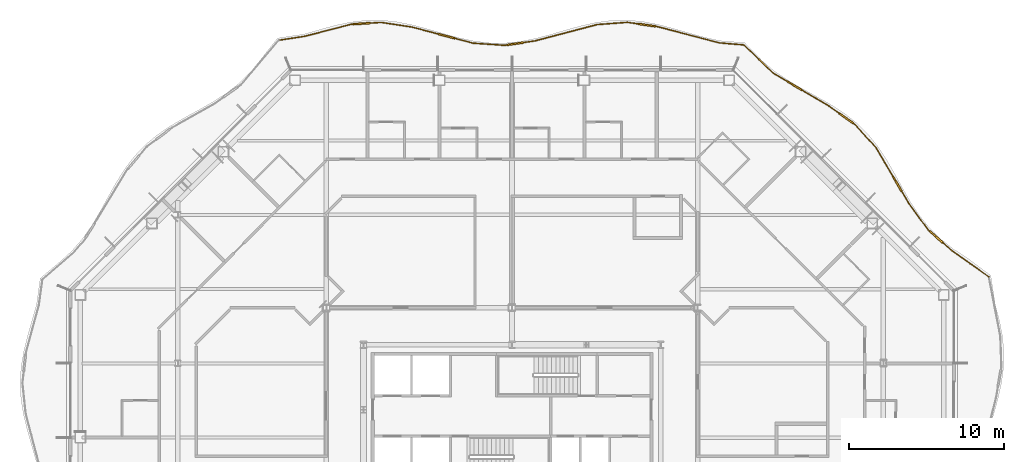
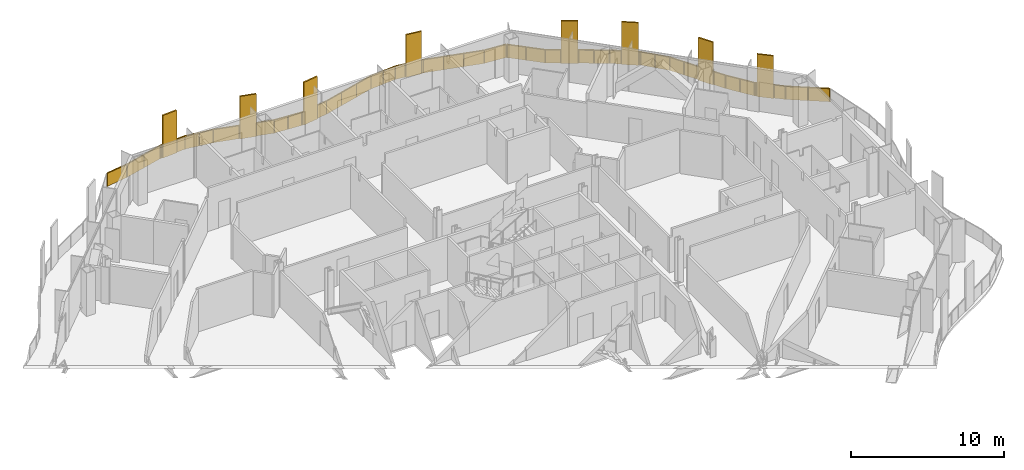
# One storey, part 21 of 21: 2 railings.
"""IFC4 building model written with IfcOpenShell, lengths in metres."""

import ifcopenshell
import ifcopenshell.guid

model = None  # the IFC model being written
_history = None  # IfcOwnerHistory: only IFC2X3 demands one
_inside = {}  # id of a spatial element -> (the spatial element, [elements in it])
_under = {}  # id of a project, library or spatial element -> (it, [spatial elements below it])
_declared = {}  # id of a project -> (the project, [libraries it declares])
_typed = {}  # id of a type object -> (the type object, [elements of that type])
_made_of = {}  # id of a material, layer set ... -> (it, [elements and type objects made of it])


def new_model(schema):
    """Start an empty IFC model of exactly this schema.

    Asked for "IFC4X3", IfcOpenShell would pick the latest addendum, in which some entities
    have other attributes; the version numbers below select the first issue.
    IFC2X3 requires an IfcOwnerHistory on every rooted entity: one is made here for all.
    """
    global model, _history
    if schema == "IFC4X3":
        model = ifcopenshell.file(schema_version=(4, 3, 0, 0))
    else:
        model = ifcopenshell.file(schema=schema)
    _inside.clear()
    _under.clear()
    _declared.clear()
    _typed.clear()
    _made_of.clear()
    _history = None
    if model.schema == "IFC2X3":
        org = make("IfcOrganization", Name="unknown")
        user = make(
            "IfcPersonAndOrganization",
            ThePerson=make("IfcPerson", FamilyName="unknown"),
            TheOrganization=org,
        )
        app = make(
            "IfcApplication",
            ApplicationDeveloper=org,
            Version="unknown",
            ApplicationFullName="unknown",
            ApplicationIdentifier="unknown",
        )
        _history = make(
            "IfcOwnerHistory",
            OwningUser=user,
            OwningApplication=app,
            ChangeAction="ADDED",
            CreationDate=0,
        )
    return model


def make(cls, **values):
    """One entity of the class cls with the attributes given. An attribute that is None is left unset."""
    return model.create_entity(
        cls, **{name: value for name, value in values.items() if value is not None}
    )


def rooted(cls, **values):
    """An entity with a GlobalId (a new one), such as an element, a storey or a relation."""
    return make(cls, GlobalId=ifcopenshell.guid.new(), OwnerHistory=_history, **values)


def si_unit(unit_type, name, prefix=None):
    """IfcSIUnit, for example si_unit("LENGTHUNIT", "METRE", prefix="MILLI")."""
    return make("IfcSIUnit", UnitType=unit_type, Prefix=prefix, Name=name)


def assignment(units):
    """IfcUnitAssignment: the units of a project."""
    return None if units is None else make("IfcUnitAssignment", Units=units)


def point(xyz):
    """IfcCartesianPoint."""
    return None if xyz is None else make("IfcCartesianPoint", Coordinates=xyz)


def direction(xyz):
    """IfcDirection."""
    return None if xyz is None else make("IfcDirection", DirectionRatios=xyz)


def frame(location, z_axis=None, x_axis=None):
    """IfcAxis2Placement3D, a coordinate frame: its origin and axes. An axis left out is left unset."""
    return make(
        "IfcAxis2Placement3D",
        Location=point(location),
        Axis=direction(z_axis),
        RefDirection=direction(x_axis),
    )


def frame_2d(location, x_axis=None):
    """IfcAxis2Placement2D, a coordinate frame in the plane: its origin and x axis."""
    return make(
        "IfcAxis2Placement2D", Location=point(location), RefDirection=direction(x_axis)
    )


def origin():
    """The frame at (0, 0, 0) with its axes left unset."""
    return frame((0.0, 0.0, 0.0))


def origin_2d():
    """The frame at (0, 0) in the plane with its x axis left unset."""
    return frame_2d((0.0, 0.0))


def place(relative_to, where):
    """IfcLocalPlacement: puts the frame where relative to a parent placement (None: the world)."""
    return make(
        "IfcLocalPlacement", PlacementRelTo=relative_to, RelativePlacement=where
    )


def context(
    kind, dimensions, precision=None, world=None, true_north=None, identifier=None
):
    """IfcGeometricRepresentationContext, for example the 3D "Model" context."""
    return make(
        "IfcGeometricRepresentationContext",
        ContextIdentifier=identifier,
        ContextType=kind,
        CoordinateSpaceDimension=dimensions,
        Precision=precision,
        WorldCoordinateSystem=world,
        TrueNorth=true_north,
    )


def subcontext(parent, identifier, kind, view, scale=None):
    """IfcGeometricRepresentationSubContext, for example "Body" below "Model"."""
    return make(
        "IfcGeometricRepresentationSubContext",
        ContextIdentifier=identifier,
        ContextType=kind,
        ParentContext=parent,
        TargetScale=scale,
        TargetView=view,
    )


def project(units=None, contexts=None):
    """IfcProject with its units and contexts."""
    return rooted(
        "IfcProject",
        Name="project",
        RepresentationContexts=contexts,
        UnitsInContext=assignment(units),
    )


def spatial(cls, under=None, at=None, **own):
    """A site, building, storey or space (cls), placed at a placement, below another one or the project."""
    s = rooted(cls, ObjectPlacement=at, **own)
    if under is not None:
        _under.setdefault(under.id(), (under, []))[1].append(s)
    return s


def polyline(points):
    """IfcPolyline through the points."""
    return make("IfcPolyline", Points=[point(p) for p in points])


def profile(cls, at=None, kind="AREA", **sizes):
    """A parametric profile (cls). Its sizes go by their IFC names, for example OverallWidth=200.0."""
    return make(cls, ProfileType=kind, Position=at, **sizes)


def rectangle(**sizes):
    """IfcRectangleProfileDef."""
    return profile("IfcRectangleProfileDef", **sizes)


def outline(outer, holes=None, kind="AREA"):
    """IfcArbitraryClosedProfileDef: a profile drawn as a closed curve; with holes, ...WithVoids."""
    if holes is None:
        return make("IfcArbitraryClosedProfileDef", ProfileType=kind, OuterCurve=outer)
    return make(
        "IfcArbitraryProfileDefWithVoids",
        ProfileType=kind,
        OuterCurve=outer,
        InnerCurves=holes,
    )


def extrude(swept, where, along, depth):
    """IfcExtrudedAreaSolid: the profile swept, set in the frame where, extruded along a direction by depth."""
    return make(
        "IfcExtrudedAreaSolid",
        SweptArea=swept,
        Position=where,
        ExtrudedDirection=direction(along),
        Depth=depth,
    )


def shape(context_of_items, identifier, shape_type, items):
    """IfcShapeRepresentation: the items that make up one representation, for example the "Body"."""
    return make(
        "IfcShapeRepresentation",
        ContextOfItems=context_of_items,
        RepresentationIdentifier=identifier,
        RepresentationType=shape_type,
        Items=items,
    )


def material(Name=None, Category=None):
    """IfcMaterial."""
    return make("IfcMaterial", Name=Name, Category=Category)


def made_of(thing, what):
    """Note that an element or type object is made of a material, layer set ...; save() writes the relation."""
    if what is not None:
        _made_of.setdefault(what.id(), (what, []))[1].append(thing)
    return thing


def type_object(cls, material=None, **own):
    """A type object (cls), such as IfcWallType, which elements share."""
    return made_of(rooted(cls, **own), material)


def element(
    cls,
    number,
    at=None,
    inside=None,
    cuts=None,
    type_object=None,
    material=None,
    context=None,
    identifier="Body",
    shape_type=None,
    held_by="IfcProductDefinitionShape",
    body=None,
    shapes=None,
    **own,
):
    """One element of the class cls, such as IfcWall. Its Tag is "e" and its number.

    at: its placement. inside: the storey or other place that contains it. cuts: it is an
    opening in that element (IfcRelVoidsElement). A single representation is given by context,
    identifier, shape_type and body (its items); several are given by shapes. held_by: the class
    of the entity that holds the representations. save() writes the other relations.
    """
    e = rooted(cls, Tag="e%d" % number, ObjectPlacement=at, **own)
    if body is not None:
        shapes = [shape(context, identifier, shape_type, body)]
    if shapes is not None:
        e.Representation = make(held_by, Representations=shapes)
    if inside is not None:
        _inside.setdefault(inside.id(), (inside, []))[1].append(e)
    if cuts is not None:
        rooted(
            "IfcRelVoidsElement", RelatingBuildingElement=cuts, RelatedOpeningElement=e
        )
    if type_object is not None:
        _typed.setdefault(type_object.id(), (type_object, []))[1].append(e)
    return made_of(e, material)


def aggregate(whole, parts):
    """IfcRelAggregates: a whole, such as a stair, and the parts it consists of."""
    return rooted("IfcRelAggregates", RelatingObject=whole, RelatedObjects=parts)


def save(model, path):
    """Write the relations noted so far, then the file.

    IfcRelAggregates (storeys below a building ...), IfcRelContainedInSpatialStructure (elements
    in a storey), IfcRelDefinesByType, IfcRelAssociatesMaterial and IfcRelDeclares: one each for
    every whole, place, type object, material and project.
    """
    for whole, parts in _under.values():
        aggregate(whole, parts)
    for where, things in _inside.values():
        rooted(
            "IfcRelContainedInSpatialStructure",
            RelatedElements=things,
            RelatingStructure=where,
        )
    for kind, things in _typed.values():
        rooted("IfcRelDefinesByType", RelatedObjects=things, RelatingType=kind)
    for what, things in _made_of.values():
        rooted("IfcRelAssociatesMaterial", RelatedObjects=things, RelatingMaterial=what)
    for by, libraries in _declared.values():
        rooted("IfcRelDeclares", RelatingContext=by, RelatedDefinitions=libraries)
    model.write(path)


model = new_model("IFC4")

# Units and contexts
model_context = context("Model", 3, precision=1e-05, world=origin(), true_north=direction((0.0, 1.0)))
body_context = subcontext(model_context, "Body", "Model", "MODEL_VIEW")
ifc_project = project(units=[si_unit("LENGTHUNIT", "METRE"), si_unit("AREAUNIT", "SQUARE_METRE"), si_unit("VOLUMEUNIT", "CUBIC_METRE"), si_unit("PLANEANGLEUNIT", "RADIAN"), si_unit("MASSUNIT", "GRAM", prefix="KILO")], contexts=[model_context])

# Site, building, storey
site_placement = place(None, origin())
site = spatial("IfcSite", under=ifc_project, at=site_placement, CompositionType="ELEMENT")
building_placement = place(site_placement, origin())
building = spatial("IfcBuilding", under=site, at=building_placement, Name="Cairn Pilgrim Tower", CompositionType="ELEMENT")
storey_placement = place(building_placement, frame((0.0, 0.0, 139.800048828125)))
storey = spatial("IfcBuildingStorey", under=building, at=storey_placement, Name="L34", CompositionType="ELEMENT", Elevation=139.800048828125)

# Railings
ifc_material = material(Name="Bronze anodised aluminium rail, posts and fin screens with laminated glass infill", Category="aluminium")
railing_type = type_object("IfcRailingType", Name="BALCONY GUARD WITH FIN SCREENS", PredefinedType="GUARDRAIL", material=ifc_material)
railing_1_placement = place(storey_placement, frame((38.007080078125, 15.199951171875, 0.0)))
element("IfcRailing", 1, at=railing_1_placement, inside=storey, type_object=railing_type, Name="Balcony guard BGF-4 with fin screens", PredefinedType="GUARDRAIL", context=body_context, shape_type="SweptSolid", body=[
    extrude(rectangle(XDim=0.050048828125, YDim=0.050048828125, at=origin_2d()), frame((0.0, 0.0, 1.0751953125), z_axis=(-0.816126546783, 0.577873221075, 0.0), x_axis=(-0.577873221075, -0.816126546783, 0.0)), (0.0, 0.0, 1.0), 2.914306640625),
    extrude(rectangle(XDim=1.10009765625, YDim=0.110107421875, at=origin_2d()), frame((-3.404052734375, 2.584716796875, 0.0), z_axis=(0.0, 0.0, 1.0), x_axis=(-0.751381601179, 0.659867933309, 0.0)), (0.0, 0.0, 1.0), 3.39990234375),
    extrude(rectangle(XDim=0.050048828125, YDim=0.050048828125, at=origin_2d()), frame((-2.37841796875, 1.68408203125, 1.0751953125), z_axis=(-0.751381601179, 0.659867933309, 0.0), x_axis=(-0.659867933309, -0.751381601179, 0.0)), (0.0, 0.0, 1.0), 0.81494140625),
    extrude(rectangle(XDim=0.050048828125, YDim=0.050048828125, at=origin_2d()), frame((-3.817138671875, 2.94775390625, 1.0751953125), z_axis=(-0.751381601179, 0.659867933309, 0.0), x_axis=(-0.659867933309, -0.751381601179, 0.0)), (0.0, 0.0, 1.0), 0.14990234375),
    extrude(rectangle(XDim=0.050048828125, YDim=0.050048828125, at=origin_2d()), frame((-3.929931640625, 3.046630859375, 1.0751953125), z_axis=(-0.590307215064, 0.807178661662, 0.0), x_axis=(-0.807178661662, -0.590307215064, 0.0)), (0.0, 0.0, 1.0), 2.0849609375),
    extrude(rectangle(XDim=1.10009765625, YDim=0.110107421875, at=origin_2d()), frame((-5.910888671875, 6.00341796875, 0.0), z_axis=(0.0, 0.0, 1.0), x_axis=(-0.50739866835, 0.861711431604, 0.0)), (0.0, 0.0, 1.0), 3.39990234375),
    extrude(rectangle(XDim=0.050048828125, YDim=0.050048828125, at=origin_2d()), frame((-5.16064453125, 4.7294921875, 1.0751953125), z_axis=(-0.50739866835, 0.861711431604, 0.0), x_axis=(-0.861711431604, -0.50739866835, 0.0)), (0.0, 0.0, 1.0), 0.928466796875),
    extrude(rectangle(XDim=0.050048828125, YDim=0.050048828125, at=origin_2d()), frame((-6.18994140625, 6.4775390625, 1.0751953125), z_axis=(-0.50739866835, 0.861711431604, 0.0), x_axis=(-0.861711431604, -0.50739866835, 0.0)), (0.0, 0.0, 1.0), 2.170654296875),
    extrude(rectangle(XDim=0.050048828125, YDim=0.050048828125, at=origin_2d()), frame((-7.291259765625, 8.347900390625, 1.0751953125), z_axis=(-0.671849079012, 0.740688068643, 0.0), x_axis=(-0.740688068643, -0.671849079012, 0.0)), (0.0, 0.0, 1.0), 2.00732421875),
    extrude(rectangle(XDim=1.10009765625, YDim=0.110107421875, at=origin_2d()), frame((-9.210205078125, 10.240478515625, 0.0), z_axis=(0.0, 0.0, 1.0), x_axis=(-0.814862491969, 0.579654310069, 0.0)), (0.0, 0.0, 1.0), 3.39990234375),
    extrude(rectangle(XDim=0.050048828125, YDim=0.050048828125, at=origin_2d()), frame((-8.639892578125, 9.834716796875, 1.0751953125), z_axis=(-0.814862491969, 0.579654310069, 0.0), x_axis=(-0.579654310069, -0.814862491969, 0.0)), (0.0, 0.0, 1.0), 0.14990234375),
    extrude(rectangle(XDim=0.050048828125, YDim=0.050048828125, at=origin_2d()), frame((-9.658447265625, 10.559326171875, 1.0751953125), z_axis=(-0.814862491969, 0.579654310069, 0.0), x_axis=(-0.579654310069, -0.814862491969, 0.0)), (0.0, 0.0, 1.0), 0.792724609375),
    extrude(rectangle(XDim=1.10009765625, YDim=0.110107421875, at=origin_2d()), frame((-12.558837890625, 12.35595703125, 0.0), z_axis=(0.0, 0.0, 1.0), x_axis=(-0.860093858428, 0.51013581985, 0.0)), (0.0, 0.0, 1.0), 3.39990234375),
    extrude(rectangle(XDim=0.050048828125, YDim=0.050048828125, at=origin_2d()), frame((-10.304443359375, 11.018798828125, 1.0751953125), z_axis=(-0.860093858428, 0.51013581985, 0.0), x_axis=(-0.51013581985, -0.860093858428, 0.0)), (0.0, 0.0, 1.0), 2.071044921875),
    extrude(rectangle(XDim=0.050048828125, YDim=0.050048828125, at=origin_2d()), frame((-13.03173828125, 12.636474609375, 1.0751953125), z_axis=(-0.860093858428, 0.51013581985, 0.0), x_axis=(-0.51013581985, -0.860093858428, 0.0)), (0.0, 0.0, 1.0), 1.04345703125),
    extrude(rectangle(XDim=0.050048828125, YDim=0.050048828125, at=origin_2d()), frame((-13.92919921875, 13.168701171875, 1.0751953125), z_axis=(-0.724381372371, 0.689399468641, 0.0), x_axis=(-0.689399468641, -0.724381372371, 0.0)), (0.0, 0.0, 1.0), 2.5751953125),
    extrude(rectangle(XDim=0.050048828125, YDim=0.050048828125, at=origin_2d()), origin(), (0.0, 0.0, 1.0), 1.050048828125),
    extrude(rectangle(XDim=0.050048828125, YDim=0.050048828125, at=origin_2d()), frame((-1.189208984375, 0.842041015625, 0.0)), (0.0, 0.0, 1.0), 1.050048828125),
    extrude(rectangle(XDim=0.050048828125, YDim=0.050048828125, at=origin_2d()), frame((-2.37841796875, 1.68408203125, 0.0)), (0.0, 0.0, 1.0), 1.050048828125),
    extrude(rectangle(XDim=0.050048828125, YDim=0.050048828125, at=origin_2d()), frame((-2.971923828125, 2.205322265625, 0.0)), (0.0, 0.0, 1.0), 1.050048828125),
    extrude(rectangle(XDim=0.050048828125, YDim=0.050048828125, at=origin_2d()), frame((-3.8359375, 2.964111328125, 0.0)), (0.0, 0.0, 1.0), 1.050048828125),
    extrude(rectangle(XDim=0.050048828125, YDim=0.050048828125, at=origin_2d()), frame((-3.929931640625, 3.046630859375, 0.0)), (0.0, 0.0, 1.0), 1.050048828125),
    extrude(rectangle(XDim=0.050048828125, YDim=0.050048828125, at=origin_2d()), frame((-4.54541015625, 3.88818359375, 0.0)), (0.0, 0.0, 1.0), 1.050048828125),
    extrude(rectangle(XDim=0.050048828125, YDim=0.050048828125, at=origin_2d()), frame((-5.16064453125, 4.7294921875, 0.0)), (0.0, 0.0, 1.0), 1.050048828125),
    extrude(rectangle(XDim=0.050048828125, YDim=0.050048828125, at=origin_2d()), frame((-5.619140625, 5.508056640625, 0.0)), (0.0, 0.0, 1.0), 1.050048828125),
    extrude(rectangle(XDim=0.050048828125, YDim=0.050048828125, at=origin_2d()), frame((-6.20263671875, 6.4990234375, 0.0)), (0.0, 0.0, 1.0), 1.050048828125),
    extrude(rectangle(XDim=0.050048828125, YDim=0.050048828125, at=origin_2d()), frame((-6.746826171875, 7.42333984375, 0.0)), (0.0, 0.0, 1.0), 1.050048828125),
    extrude(rectangle(XDim=0.050048828125, YDim=0.050048828125, at=origin_2d()), frame((-7.291259765625, 8.347900390625, 0.0)), (0.0, 0.0, 1.0), 1.050048828125),
    extrude(rectangle(XDim=0.050048828125, YDim=0.050048828125, at=origin_2d()), frame((-7.965576171875, 9.09130859375, 0.0)), (0.0, 0.0, 1.0), 1.050048828125),
    extrude(rectangle(XDim=0.050048828125, YDim=0.050048828125, at=origin_2d()), frame((-8.639892578125, 9.834716796875, 0.0)), (0.0, 0.0, 1.0), 1.050048828125),
    extrude(rectangle(XDim=0.050048828125, YDim=0.050048828125, at=origin_2d()), frame((-8.74169921875, 9.9072265625, 0.0)), (0.0, 0.0, 1.0), 1.050048828125),
    extrude(rectangle(XDim=0.050048828125, YDim=0.050048828125, at=origin_2d()), frame((-9.6787109375, 10.57373046875, 0.0)), (0.0, 0.0, 1.0), 1.050048828125),
    extrude(rectangle(XDim=0.050048828125, YDim=0.050048828125, at=origin_2d()), frame((-10.304443359375, 11.018798828125, 0.0)), (0.0, 0.0, 1.0), 1.050048828125),
    extrude(rectangle(XDim=0.050048828125, YDim=0.050048828125, at=origin_2d()), frame((-11.184326171875, 11.540771484375, 0.0)), (0.0, 0.0, 1.0), 1.050048828125),
    extrude(rectangle(XDim=0.050048828125, YDim=0.050048828125, at=origin_2d()), frame((-12.064208984375, 12.0625, 0.0)), (0.0, 0.0, 1.0), 1.050048828125),
    extrude(rectangle(XDim=0.050048828125, YDim=0.050048828125, at=origin_2d()), frame((-13.05322265625, 12.649169921875, 0.0)), (0.0, 0.0, 1.0), 1.050048828125),
    extrude(rectangle(XDim=0.050048828125, YDim=0.050048828125, at=origin_2d()), frame((-13.92919921875, 13.168701171875, 0.0)), (0.0, 0.0, 1.0), 1.050048828125),
    extrude(rectangle(XDim=0.050048828125, YDim=0.050048828125, at=origin_2d()), frame((-14.86181640625, 14.056396484375, 0.0)), (0.0, 0.0, 1.0), 1.050048828125),
    extrude(rectangle(XDim=0.050048828125, YDim=0.050048828125, at=origin_2d()), frame((-15.794677734375, 14.944091796875, 0.0)), (0.0, 0.0, 1.0), 1.050048828125),
    extrude(outline(polyline([(0.02490234375, 0.0), (1.43212890625, 0.0), (1.43212890625, 1.050048828125), (0.02490234375, 1.050048828125), (0.02490234375, 0.0)])), frame((-0.00341796875, -0.0048828125, 0.0), z_axis=(0.577873221075, 0.816126546783, 0.0), x_axis=(-0.816126546783, 0.577873221075, 0.0)), (0.0, 0.0, 1.0), 0.011962890625),
    extrude(outline(polyline([(0.02490234375, 0.0), (1.43212890625, 0.0), (1.43212890625, 1.050048828125), (0.02490234375, 1.050048828125), (0.02490234375, 0.0)])), frame((-1.192626953125, 0.837158203125, 0.0), z_axis=(0.577873221075, 0.816126546783, 0.0), x_axis=(-0.816126546783, 0.577873221075, 0.0)), (0.0, 0.0, 1.0), 0.011962890625),
    extrude(outline(polyline([(0.02490234375, 0.0), (0.764892578125, 0.0), (0.764892578125, 1.050048828125), (0.02490234375, 1.050048828125), (0.02490234375, 0.0)])), frame((-2.38232421875, 1.6796875, 0.0), z_axis=(0.659867933309, 0.751381601179, 0.0), x_axis=(-0.751381601179, 0.659867933309, 0.0)), (0.0, 0.0, 1.0), 0.011962890625),
    extrude(outline(polyline([(0.02490234375, 0.0), (0.099853515625, 0.0), (0.099853515625, 1.050048828125), (0.02490234375, 1.050048828125), (0.02490234375, 0.0)])), frame((-3.840087890625, 2.959716796875, 0.0), z_axis=(0.659867933309, 0.751381601179, 0.0), x_axis=(-0.751381601179, 0.659867933309, 0.0)), (0.0, 0.0, 1.0), 0.011962890625),
    extrude(outline(polyline([(0.02490234375, 0.0), (1.017333984375, 0.0), (1.017333984375, 1.050048828125), (0.02490234375, 1.050048828125), (0.02490234375, 0.0)])), frame((-3.934814453125, 3.043212890625, 0.0), z_axis=(0.807178661662, 0.590307215064, 0.0), x_axis=(-0.590307215064, 0.807178661662, 0.0)), (0.0, 0.0, 1.0), 0.011962890625),
    extrude(outline(polyline([(0.02490234375, 0.0), (1.017333984375, 0.0), (1.017333984375, 1.050048828125), (0.02490234375, 1.050048828125), (0.02490234375, 0.0)])), frame((-4.550048828125, 3.884521484375, 0.0), z_axis=(0.807178661662, 0.590307215064, 0.0), x_axis=(-0.590307215064, 0.807178661662, 0.0)), (0.0, 0.0, 1.0), 0.011962890625),
    extrude(outline(polyline([(0.02490234375, 0.0), (0.87841796875, 0.0), (0.87841796875, 1.050048828125), (0.02490234375, 1.050048828125), (0.02490234375, 0.0)])), frame((-5.165771484375, 4.7265625, 0.0), z_axis=(0.861711431604, 0.50739866835, 0.0), x_axis=(-0.50739866835, 0.861711431604, 0.0)), (0.0, 0.0, 1.0), 0.011962890625),
    extrude(outline(polyline([(0.02490234375, 0.0), (1.0478515625, 0.0), (1.0478515625, 1.050048828125), (0.02490234375, 1.050048828125), (0.02490234375, 0.0)])), frame((-6.207763671875, 6.49609375, 0.0), z_axis=(0.861711431604, 0.50739866835, 0.0), x_axis=(-0.50739866835, 0.861711431604, 0.0)), (0.0, 0.0, 1.0), 0.011962890625),
    extrude(outline(polyline([(0.02490234375, 0.0), (1.0478515625, 0.0), (1.0478515625, 1.050048828125), (0.02490234375, 1.050048828125), (0.02490234375, 0.0)])), frame((-6.752197265625, 7.42041015625, 0.0), z_axis=(0.861711431604, 0.50739866835, 0.0), x_axis=(-0.50739866835, 0.861711431604, 0.0)), (0.0, 0.0, 1.0), 0.011962890625),
    extrude(outline(polyline([(0.02490234375, 0.0), (0.978759765625, 0.0), (0.978759765625, 1.050048828125), (0.02490234375, 1.050048828125), (0.02490234375, 0.0)])), frame((-7.295654296875, 8.343994140625, 0.0), z_axis=(0.740688068643, 0.671849079012, 0.0), x_axis=(-0.671849079012, 0.740688068643, 0.0)), (0.0, 0.0, 1.0), 0.011962890625),
    extrude(outline(polyline([(0.02490234375, 0.0), (0.978759765625, 0.0), (0.978759765625, 1.050048828125), (0.02490234375, 1.050048828125), (0.02490234375, 0.0)])), frame((-7.969970703125, 9.08740234375, 0.0), z_axis=(0.740688068643, 0.671849079012, 0.0), x_axis=(-0.671849079012, 0.740688068643, 0.0)), (0.0, 0.0, 1.0), 0.011962890625),
    extrude(outline(polyline([(0.02490234375, 0.0), (0.099853515625, 0.0), (0.099853515625, 1.050048828125), (0.02490234375, 1.050048828125), (0.02490234375, 0.0)])), frame((-8.643310546875, 9.829833984375, 0.0), z_axis=(0.579654310069, 0.814862491969, 0.0), x_axis=(-0.814862491969, 0.579654310069, 0.0)), (0.0, 0.0, 1.0), 0.011962890625),
    extrude(outline(polyline([(0.02490234375, 0.0), (0.74267578125, 0.0), (0.74267578125, 1.050048828125), (0.02490234375, 1.050048828125), (0.02490234375, 0.0)])), frame((-9.682373046875, 10.56884765625, 0.0), z_axis=(0.579654310069, 0.814862491969, 0.0), x_axis=(-0.814862491969, 0.579654310069, 0.0)), (0.0, 0.0, 1.0), 0.011962890625),
    extrude(outline(polyline([(0.02490234375, 0.0), (0.998046875, 0.0), (0.998046875, 1.050048828125), (0.02490234375, 1.050048828125), (0.02490234375, 0.0)])), frame((-10.307373046875, 11.013671875, 0.0), z_axis=(0.51013581985, 0.860093858428, 0.0), x_axis=(-0.860093858428, 0.51013581985, 0.0)), (0.0, 0.0, 1.0), 0.011962890625),
    extrude(outline(polyline([(0.02490234375, 0.0), (0.998046875, 0.0), (0.998046875, 1.050048828125), (0.02490234375, 1.050048828125), (0.02490234375, 0.0)])), frame((-11.187255859375, 11.535400390625, 0.0), z_axis=(0.51013581985, 0.860093858428, 0.0), x_axis=(-0.860093858428, 0.51013581985, 0.0)), (0.0, 0.0, 1.0), 0.011962890625),
    extrude(outline(polyline([(0.02490234375, 0.0), (0.993408203125, 0.0), (0.993408203125, 1.050048828125), (0.02490234375, 1.050048828125), (0.02490234375, 0.0)])), frame((-13.056396484375, 12.64404296875, 0.0), z_axis=(0.51013581985, 0.860093858428, 0.0), x_axis=(-0.860093858428, 0.51013581985, 0.0)), (0.0, 0.0, 1.0), 0.011962890625),
    extrude(outline(polyline([(0.02490234375, 0.0), (1.2626953125, 0.0), (1.2626953125, 1.050048828125), (0.02490234375, 1.050048828125), (0.02490234375, 0.0)])), frame((-13.933349609375, 13.164306640625, 0.0), z_axis=(0.689399468641, 0.724381372371, 0.0), x_axis=(-0.724381372371, 0.689399468641, 0.0)), (0.0, 0.0, 1.0), 0.011962890625),
    extrude(outline(polyline([(0.02490234375, 0.0), (1.2626953125, 0.0), (1.2626953125, 1.050048828125), (0.02490234375, 1.050048828125), (0.02490234375, 0.0)])), frame((-14.865966796875, 14.052001953125, 0.0), z_axis=(0.689399468641, 0.724381372371, 0.0), x_axis=(-0.724381372371, 0.689399468641, 0.0)), (0.0, 0.0, 1.0), 0.011962890625),
])
railing_2_placement = place(storey_placement, frame((22.1689453125, 30.185302734375, 0.0)))
element("IfcRailing", 2, at=railing_2_placement, inside=storey, type_object=railing_type, Name="Balcony guard BGF-5 with fin screens", PredefinedType="GUARDRAIL", context=body_context, shape_type="SweptSolid", body=[
    extrude(rectangle(XDim=0.050048828125, YDim=0.050048828125, at=origin_2d()), frame((0.0, 0.0, 1.0751953125), z_axis=(-0.996595254625, 0.082449369059, 0.0), x_axis=(-0.082449369059, -0.996595254625, 0.0)), (0.0, 0.0, 1.0), 1.593017578125),
    extrude(rectangle(XDim=0.050048828125, YDim=0.050048828125, at=origin_2d()), frame((-1.587646484375, 0.13134765625, 1.0751953125), z_axis=(-0.966903612794, 0.255141928278, 0.0), x_axis=(-0.255141928278, -0.966903612794, 0.0)), (0.0, 0.0, 1.0), 4.11279296875),
    extrude(rectangle(XDim=1.10009765625, YDim=0.110107421875, at=origin_2d()), frame((-6.257080078125, 1.278564453125, 0.0), z_axis=(0.0, 0.0, 1.0), x_axis=(-0.99015060445, 0.140006358807, 0.0)), (0.0, 0.0, 1.0), 3.39990234375),
    extrude(rectangle(XDim=0.050048828125, YDim=0.050048828125, at=origin_2d()), frame((-5.564208984375, 1.1806640625, 1.0751953125), z_axis=(-0.99015060445, 0.140006358807, 0.0), x_axis=(-0.140006358807, -0.99015060445, 0.0)), (0.0, 0.0, 1.0), 0.14990234375),
    extrude(rectangle(XDim=0.050048828125, YDim=0.050048828125, at=origin_2d()), frame((-6.8017578125, 1.355712890625, 1.0751953125), z_axis=(-0.99015060445, 0.140006358807, 0.0), x_axis=(-0.140006358807, -0.99015060445, 0.0)), (0.0, 0.0, 1.0), 0.731201171875),
    extrude(rectangle(XDim=0.050048828125, YDim=0.050048828125, at=origin_2d()), frame((-7.525634765625, 1.4580078125, 1.0751953125), z_axis=(-0.997189788509, -0.074916791799, 0.0), x_axis=(0.074916791799, -0.997189788509, 0.0)), (0.0, 0.0, 1.0), 1.9619140625),
    extrude(rectangle(XDim=0.050048828125, YDim=0.050048828125, at=origin_2d()), frame((-9.48193359375, 1.31103515625, 1.0751953125), z_axis=(-0.967093806985, -0.254420063068, 0.0), x_axis=(0.254420063068, -0.967093806985, 0.0)), (0.0, 0.0, 1.0), 4.102294921875),
    extrude(rectangle(XDim=1.10009765625, YDim=0.110107421875, at=origin_2d()), frame((-14.76708984375, 0.07373046875, 0.0), z_axis=(0.0, 0.0, 1.0), x_axis=(-0.989376930677, -0.145372930919, 0.0)), (0.0, 0.0, 1.0), 3.39990234375),
    extrude(rectangle(XDim=0.050048828125, YDim=0.050048828125, at=origin_2d()), frame((-13.44921875, 0.267333984375, 1.0751953125), z_axis=(-0.989376930677, -0.145372930919, 0.0), x_axis=(0.145372930919, -0.989376930677, 0.0)), (0.0, 0.0, 1.0), 0.781982421875),
    extrude(rectangle(XDim=0.050048828125, YDim=0.050048828125, at=origin_2d()), frame((-15.311279296875, -0.00634765625, 1.0751953125), z_axis=(-0.989376930677, -0.145372930919, 0.0), x_axis=(0.145372930919, -0.989376930677, 0.0)), (0.0, 0.0, 1.0), 0.150146484375),
    extrude(rectangle(XDim=0.050048828125, YDim=0.050048828125, at=origin_2d()), frame((-15.459716796875, -0.028076171875, 1.0751953125), z_axis=(-0.997618592147, 0.068972056679, 0.0), x_axis=(-0.068972056679, -0.997618592147, 0.0)), (0.0, 0.0, 1.0), 2.021240234375),
    extrude(rectangle(XDim=1.10009765625, YDim=0.110107421875, at=origin_2d()), frame((-19.192626953125, 0.5615234375, 0.0), z_axis=(0.0, 0.0, 1.0), x_axis=(-0.967284877826, 0.253692658801, 0.0)), (0.0, 0.0, 1.0), 3.39990234375),
    extrude(rectangle(XDim=0.050048828125, YDim=0.050048828125, at=origin_2d()), frame((-17.47607421875, 0.111328125, 1.0751953125), z_axis=(-0.967284877826, 0.253692658801, 0.0), x_axis=(-0.253692658801, -0.967284877826, 0.0)), (0.0, 0.0, 1.0), 1.224609375),
    extrude(rectangle(XDim=0.050048828125, YDim=0.050048828125, at=origin_2d()), frame((-19.724609375, 0.701171875, 1.0751953125), z_axis=(-0.967284877826, 0.253692658801, 0.0), x_axis=(-0.253692658801, -0.967284877826, 0.0)), (0.0, 0.0, 1.0), 1.788330078125),
    extrude(rectangle(XDim=0.050048828125, YDim=0.050048828125, at=origin_2d()), frame((-21.45458984375, 1.15478515625, 1.0751953125), z_axis=(-0.988622018476, 0.150421090893, 0.0), x_axis=(-0.150421090893, -0.988622018476, 0.0)), (0.0, 0.0, 1.0), 1.985107421875),
    extrude(rectangle(XDim=1.10009765625, YDim=0.110107421875, at=origin_2d()), frame((-24.674072265625, 1.3740234375, 0.0), z_axis=(0.0, 0.0, 1.0), x_axis=(-0.998018987165, -0.062913442581, 0.0)), (0.0, 0.0, 1.0), 3.39990234375),
    extrude(rectangle(XDim=0.050048828125, YDim=0.050048828125, at=origin_2d()), frame((-23.4169921875, 1.453369140625, 1.0751953125), z_axis=(-0.998018987165, -0.062913442581, 0.0), x_axis=(0.062913442581, -0.998018987165, 0.0)), (0.0, 0.0, 1.0), 0.709716796875),
    extrude(rectangle(XDim=0.050048828125, YDim=0.050048828125, at=origin_2d()), frame((-25.222900390625, 1.339599609375, 1.0751953125), z_axis=(-0.998018987165, -0.062913442581, 0.0), x_axis=(0.062913442581, -0.998018987165, 0.0)), (0.0, 0.0, 1.0), 0.150146484375),
    extrude(rectangle(XDim=0.050048828125, YDim=0.050048828125, at=origin_2d()), frame((-25.372802734375, 1.330078125, 1.0751953125), z_axis=(-0.96811267779, -0.250515155434, 0.0), x_axis=(0.250515155434, -0.96811267779, 0.0)), (0.0, 0.0, 1.0), 3.07080078125),
    extrude(rectangle(XDim=0.050048828125, YDim=0.050048828125, at=origin_2d()), frame((-28.345703125, 0.560791015625, 1.0751953125), z_axis=(-0.988546026503, -0.150919692169, 0.0), x_axis=(0.150919692169, -0.988546026503, 0.0)), (0.0, 0.0, 1.0), 1.661376953125),
    extrude(rectangle(XDim=0.050048828125, YDim=0.050048828125, at=origin_2d()), origin(), (0.0, 0.0, 1.0), 1.050048828125),
    extrude(rectangle(XDim=0.050048828125, YDim=0.050048828125, at=origin_2d()), frame((-1.587646484375, 0.13134765625, 0.0)), (0.0, 0.0, 1.0), 1.050048828125),
    extrude(rectangle(XDim=0.050048828125, YDim=0.050048828125, at=origin_2d()), frame((-2.9130859375, 0.481201171875, 0.0)), (0.0, 0.0, 1.0), 1.050048828125),
    extrude(rectangle(XDim=0.050048828125, YDim=0.050048828125, at=origin_2d()), frame((-4.23876953125, 0.830810546875, 0.0)), (0.0, 0.0, 1.0), 1.050048828125),
    extrude(rectangle(XDim=0.050048828125, YDim=0.050048828125, at=origin_2d()), frame((-5.564208984375, 1.1806640625, 0.0)), (0.0, 0.0, 1.0), 1.050048828125),
    extrude(rectangle(XDim=0.050048828125, YDim=0.050048828125, at=origin_2d()), frame((-5.687744140625, 1.1982421875, 0.0)), (0.0, 0.0, 1.0), 1.050048828125),
    extrude(rectangle(XDim=0.050048828125, YDim=0.050048828125, at=origin_2d()), frame((-6.826416015625, 1.359130859375, 0.0)), (0.0, 0.0, 1.0), 1.050048828125),
    extrude(rectangle(XDim=0.050048828125, YDim=0.050048828125, at=origin_2d()), frame((-7.525634765625, 1.4580078125, 0.0)), (0.0, 0.0, 1.0), 1.050048828125),
    extrude(rectangle(XDim=0.050048828125, YDim=0.050048828125, at=origin_2d()), frame((-8.50390625, 1.384521484375, 0.0)), (0.0, 0.0, 1.0), 1.050048828125),
    extrude(rectangle(XDim=0.050048828125, YDim=0.050048828125, at=origin_2d()), frame((-9.48193359375, 1.31103515625, 0.0)), (0.0, 0.0, 1.0), 1.050048828125),
    extrude(rectangle(XDim=0.050048828125, YDim=0.050048828125, at=origin_2d()), frame((-10.804443359375, 0.963134765625, 0.0)), (0.0, 0.0, 1.0), 1.050048828125),
    extrude(rectangle(XDim=0.050048828125, YDim=0.050048828125, at=origin_2d()), frame((-12.126708984375, 0.615234375, 0.0)), (0.0, 0.0, 1.0), 1.050048828125),
    extrude(rectangle(XDim=0.050048828125, YDim=0.050048828125, at=origin_2d()), frame((-13.44921875, 0.267333984375, 0.0)), (0.0, 0.0, 1.0), 1.050048828125),
    extrude(rectangle(XDim=0.050048828125, YDim=0.050048828125, at=origin_2d()), frame((-14.1982421875, 0.1572265625, 0.0)), (0.0, 0.0, 1.0), 1.050048828125),
    extrude(rectangle(XDim=0.050048828125, YDim=0.050048828125, at=origin_2d()), frame((-15.3359375, -0.010009765625, 0.0)), (0.0, 0.0, 1.0), 1.050048828125),
    extrude(rectangle(XDim=0.050048828125, YDim=0.050048828125, at=origin_2d()), frame((-15.459716796875, -0.028076171875, 0.0)), (0.0, 0.0, 1.0), 1.050048828125),
    extrude(rectangle(XDim=0.050048828125, YDim=0.050048828125, at=origin_2d()), frame((-16.4677734375, 0.04150390625, 0.0)), (0.0, 0.0, 1.0), 1.050048828125),
    extrude(rectangle(XDim=0.050048828125, YDim=0.050048828125, at=origin_2d()), frame((-17.47607421875, 0.111328125, 0.0)), (0.0, 0.0, 1.0), 1.050048828125),
    extrude(rectangle(XDim=0.050048828125, YDim=0.050048828125, at=origin_2d()), frame((-18.636474609375, 0.415771484375, 0.0)), (0.0, 0.0, 1.0), 1.050048828125),
    extrude(rectangle(XDim=0.050048828125, YDim=0.050048828125, at=origin_2d()), frame((-19.748779296875, 0.70751953125, 0.0)), (0.0, 0.0, 1.0), 1.050048828125),
    extrude(rectangle(XDim=0.050048828125, YDim=0.050048828125, at=origin_2d()), frame((-21.45458984375, 1.15478515625, 0.0)), (0.0, 0.0, 1.0), 1.050048828125),
    extrude(rectangle(XDim=0.050048828125, YDim=0.050048828125, at=origin_2d()), frame((-22.435791015625, 1.30419921875, 0.0)), (0.0, 0.0, 1.0), 1.050048828125),
    extrude(rectangle(XDim=0.050048828125, YDim=0.050048828125, at=origin_2d()), frame((-23.4169921875, 1.453369140625, 0.0)), (0.0, 0.0, 1.0), 1.050048828125),
    extrude(rectangle(XDim=0.050048828125, YDim=0.050048828125, at=origin_2d()), frame((-24.100341796875, 1.410400390625, 0.0)), (0.0, 0.0, 1.0), 1.050048828125),
    extrude(rectangle(XDim=0.050048828125, YDim=0.050048828125, at=origin_2d()), frame((-25.248046875, 1.337890625, 0.0)), (0.0, 0.0, 1.0), 1.050048828125),
    extrude(rectangle(XDim=0.050048828125, YDim=0.050048828125, at=origin_2d()), frame((-25.372802734375, 1.330078125, 0.0)), (0.0, 0.0, 1.0), 1.050048828125),
    extrude(rectangle(XDim=0.050048828125, YDim=0.050048828125, at=origin_2d()), frame((-26.859375, 0.9453125, 0.0)), (0.0, 0.0, 1.0), 1.050048828125),
    extrude(rectangle(XDim=0.050048828125, YDim=0.050048828125, at=origin_2d()), frame((-28.345703125, 0.560791015625, 0.0)), (0.0, 0.0, 1.0), 1.050048828125),
    extrude(rectangle(XDim=0.050048828125, YDim=0.050048828125, at=origin_2d()), frame((-29.988037109375, 0.31005859375, 0.0)), (0.0, 0.0, 1.0), 1.050048828125),
    extrude(outline(polyline([(0.02490234375, 0.0), (1.568115234375, 0.0), (1.568115234375, 1.050048828125), (0.02490234375, 1.050048828125), (0.02490234375, 0.0)])), frame((-0.00048828125, -0.005859375, 0.0), z_axis=(0.082449369059, 0.996595254625, 0.0), x_axis=(-0.996595254625, 0.082449369059, 0.0)), (0.0, 0.0, 1.0), 0.011962890625),
    extrude(outline(polyline([(0.02490234375, 0.0), (1.345947265625, 0.0), (1.345947265625, 1.050048828125), (0.02490234375, 1.050048828125), (0.02490234375, 0.0)])), frame((-1.589111328125, 0.12548828125, 0.0), z_axis=(0.255141928278, 0.966903612794, 0.0), x_axis=(-0.966903612794, 0.255141928278, 0.0)), (0.0, 0.0, 1.0), 0.011962890625),
    extrude(outline(polyline([(0.02490234375, 0.0), (1.345947265625, 0.0), (1.345947265625, 1.050048828125), (0.02490234375, 1.050048828125), (0.02490234375, 0.0)])), frame((-2.914794921875, 0.475341796875, 0.0), z_axis=(0.255141928278, 0.966903612794, 0.0), x_axis=(-0.966903612794, 0.255141928278, 0.0)), (0.0, 0.0, 1.0), 0.011962890625),
    extrude(outline(polyline([(0.02490234375, 0.0), (1.345947265625, 0.0), (1.345947265625, 1.050048828125), (0.02490234375, 1.050048828125), (0.02490234375, 0.0)])), frame((-4.240234375, 0.8251953125, 0.0), z_axis=(0.255141928278, 0.966903612794, 0.0), x_axis=(-0.966903612794, 0.255141928278, 0.0)), (0.0, 0.0, 1.0), 0.011962890625),
    extrude(outline(polyline([(0.02490234375, 0.0), (0.099853515625, 0.0), (0.099853515625, 1.050048828125), (0.02490234375, 1.050048828125), (0.02490234375, 0.0)])), frame((-5.56494140625, 1.1748046875, 0.0), z_axis=(0.140006358807, 0.99015060445, 0.0), x_axis=(-0.99015060445, 0.140006358807, 0.0)), (0.0, 0.0, 1.0), 0.011962890625),
    extrude(outline(polyline([(0.02490234375, 0.0), (0.68115234375, 0.0), (0.68115234375, 1.050048828125), (0.02490234375, 1.050048828125), (0.02490234375, 0.0)])), frame((-6.827392578125, 1.353271484375, 0.0), z_axis=(0.140006358807, 0.99015060445, 0.0), x_axis=(-0.99015060445, 0.140006358807, 0.0)), (0.0, 0.0, 1.0), 0.011962890625),
    extrude(outline(polyline([(0.02490234375, 0.0), (0.955810546875, 0.0), (0.955810546875, 1.050048828125), (0.02490234375, 1.050048828125), (0.02490234375, 0.0)])), frame((-7.525146484375, 1.4521484375, 0.0), z_axis=(-0.074916791799, 0.997189788509, 0.0), x_axis=(-0.997189788509, -0.074916791799, 0.0)), (0.0, 0.0, 1.0), 0.011962890625),
    extrude(outline(polyline([(0.02490234375, 0.0), (0.955810546875, 0.0), (0.955810546875, 1.050048828125), (0.02490234375, 1.050048828125), (0.02490234375, 0.0)])), frame((-8.50341796875, 1.378662109375, 0.0), z_axis=(-0.074916791799, 0.997189788509, 0.0), x_axis=(-0.997189788509, -0.074916791799, 0.0)), (0.0, 0.0, 1.0), 0.011962890625),
    extrude(outline(polyline([(0.02490234375, 0.0), (1.34228515625, 0.0), (1.34228515625, 1.050048828125), (0.02490234375, 1.050048828125), (0.02490234375, 0.0)])), frame((-9.48046875, 1.30517578125, 0.0), z_axis=(-0.254420063068, 0.967093806985, 0.0), x_axis=(-0.967093806985, -0.254420063068, 0.0)), (0.0, 0.0, 1.0), 0.011962890625),
    extrude(outline(polyline([(0.02490234375, 0.0), (1.34228515625, 0.0), (1.34228515625, 1.050048828125), (0.02490234375, 1.050048828125), (0.02490234375, 0.0)])), frame((-10.802734375, 0.957275390625, 0.0), z_axis=(-0.254420063068, 0.967093806985, 0.0), x_axis=(-0.967093806985, -0.254420063068, 0.0)), (0.0, 0.0, 1.0), 0.011962890625),
    extrude(outline(polyline([(0.02490234375, 0.0), (1.34228515625, 0.0), (1.34228515625, 1.050048828125), (0.02490234375, 1.050048828125), (0.02490234375, 0.0)])), frame((-12.125244140625, 0.609375, 0.0), z_axis=(-0.254420063068, 0.967093806985, 0.0), x_axis=(-0.967093806985, -0.254420063068, 0.0)), (0.0, 0.0, 1.0), 0.011962890625),
    extrude(outline(polyline([(0.02490234375, 0.0), (0.73193359375, 0.0), (0.73193359375, 1.050048828125), (0.02490234375, 1.050048828125), (0.02490234375, 0.0)])), frame((-13.4482421875, 0.261474609375, 0.0), z_axis=(-0.145372930919, 0.989376930677, 0.0), x_axis=(-0.989376930677, -0.145372930919, 0.0)), (0.0, 0.0, 1.0), 0.011962890625),
    extrude(outline(polyline([(0.02490234375, 0.0), (0.10009765625, 0.0), (0.10009765625, 1.050048828125), (0.02490234375, 1.050048828125), (0.02490234375, 0.0)])), frame((-15.335205078125, -0.015869140625, 0.0), z_axis=(-0.145372930919, 0.989376930677, 0.0), x_axis=(-0.989376930677, -0.145372930919, 0.0)), (0.0, 0.0, 1.0), 0.011962890625),
    extrude(outline(polyline([(0.02490234375, 0.0), (0.985595703125, 0.0), (0.985595703125, 1.050048828125), (0.02490234375, 1.050048828125), (0.02490234375, 0.0)])), frame((-15.460205078125, -0.033935546875, 0.0), z_axis=(0.068972056679, 0.997618592147, 0.0), x_axis=(-0.997618592147, 0.068972056679, 0.0)), (0.0, 0.0, 1.0), 0.011962890625),
    extrude(outline(polyline([(0.02490234375, 0.0), (0.985595703125, 0.0), (0.985595703125, 1.050048828125), (0.02490234375, 1.050048828125), (0.02490234375, 0.0)])), frame((-16.46826171875, 0.03564453125, 0.0), z_axis=(0.068972056679, 0.997618592147, 0.0), x_axis=(-0.997618592147, 0.068972056679, 0.0)), (0.0, 0.0, 1.0), 0.011962890625),
    extrude(outline(polyline([(0.02490234375, 0.0), (1.174560546875, 0.0), (1.174560546875, 1.050048828125), (0.02490234375, 1.050048828125), (0.02490234375, 0.0)])), frame((-17.4775390625, 0.10546875, 0.0), z_axis=(0.253692658801, 0.967284877826, 0.0), x_axis=(-0.967284877826, 0.253692658801, 0.0)), (0.0, 0.0, 1.0), 0.011962890625),
    extrude(outline(polyline([(0.02490234375, 0.0), (1.73828125, 0.0), (1.73828125, 1.050048828125), (0.02490234375, 1.050048828125), (0.02490234375, 0.0)])), frame((-19.75048828125, 0.70166015625, 0.0), z_axis=(0.253692658801, 0.967284877826, 0.0), x_axis=(-0.967284877826, 0.253692658801, 0.0)), (0.0, 0.0, 1.0), 0.011962890625),
    extrude(outline(polyline([(0.02490234375, 0.0), (0.967529296875, 0.0), (0.967529296875, 1.050048828125), (0.02490234375, 1.050048828125), (0.02490234375, 0.0)])), frame((-21.45556640625, 1.14892578125, 0.0), z_axis=(0.150421090893, 0.988622018476, 0.0), x_axis=(-0.988622018476, 0.150421090893, 0.0)), (0.0, 0.0, 1.0), 0.011962890625),
    extrude(outline(polyline([(0.02490234375, 0.0), (0.967529296875, 0.0), (0.967529296875, 1.050048828125), (0.02490234375, 1.050048828125), (0.02490234375, 0.0)])), frame((-22.436767578125, 1.298095703125, 0.0), z_axis=(0.150421090893, 0.988622018476, 0.0), x_axis=(-0.988622018476, 0.150421090893, 0.0)), (0.0, 0.0, 1.0), 0.011962890625),
    extrude(outline(polyline([(0.02490234375, 0.0), (0.65966796875, 0.0), (0.65966796875, 1.050048828125), (0.02490234375, 1.050048828125), (0.02490234375, 0.0)])), frame((-23.41650390625, 1.447509765625, 0.0), z_axis=(-0.062913442581, 0.998018987165, 0.0), x_axis=(-0.998018987165, -0.062913442581, 0.0)), (0.0, 0.0, 1.0), 0.011962890625),
    extrude(outline(polyline([(0.02490234375, 0.0), (0.10009765625, 0.0), (0.10009765625, 1.050048828125), (0.02490234375, 1.050048828125), (0.02490234375, 0.0)])), frame((-25.24755859375, 1.33203125, 0.0), z_axis=(-0.062913442581, 0.998018987165, 0.0), x_axis=(-0.998018987165, -0.062913442581, 0.0)), (0.0, 0.0, 1.0), 0.011962890625),
    extrude(outline(polyline([(0.02490234375, 0.0), (1.510498046875, 0.0), (1.510498046875, 1.050048828125), (0.02490234375, 1.050048828125), (0.02490234375, 0.0)])), frame((-25.371337890625, 1.32421875, 0.0), z_axis=(-0.250515155434, 0.96811267779, 0.0), x_axis=(-0.96811267779, -0.250515155434, 0.0)), (0.0, 0.0, 1.0), 0.011962890625),
    extrude(outline(polyline([(0.02490234375, 0.0), (1.510498046875, 0.0), (1.510498046875, 1.050048828125), (0.02490234375, 1.050048828125), (0.02490234375, 0.0)])), frame((-26.857666015625, 0.939697265625, 0.0), z_axis=(-0.250515155434, 0.96811267779, 0.0), x_axis=(-0.96811267779, -0.250515155434, 0.0)), (0.0, 0.0, 1.0), 0.011962890625),
    extrude(outline(polyline([(0.02490234375, 0.0), (1.63623046875, 0.0), (1.63623046875, 1.050048828125), (0.02490234375, 1.050048828125), (0.02490234375, 0.0)])), frame((-28.3447265625, 0.554931640625, 0.0), z_axis=(-0.150919692169, 0.988546026503, 0.0), x_axis=(-0.988546026503, -0.150919692169, 0.0)), (0.0, 0.0, 1.0), 0.011962890625),
])

save(model, "model.ifc")
